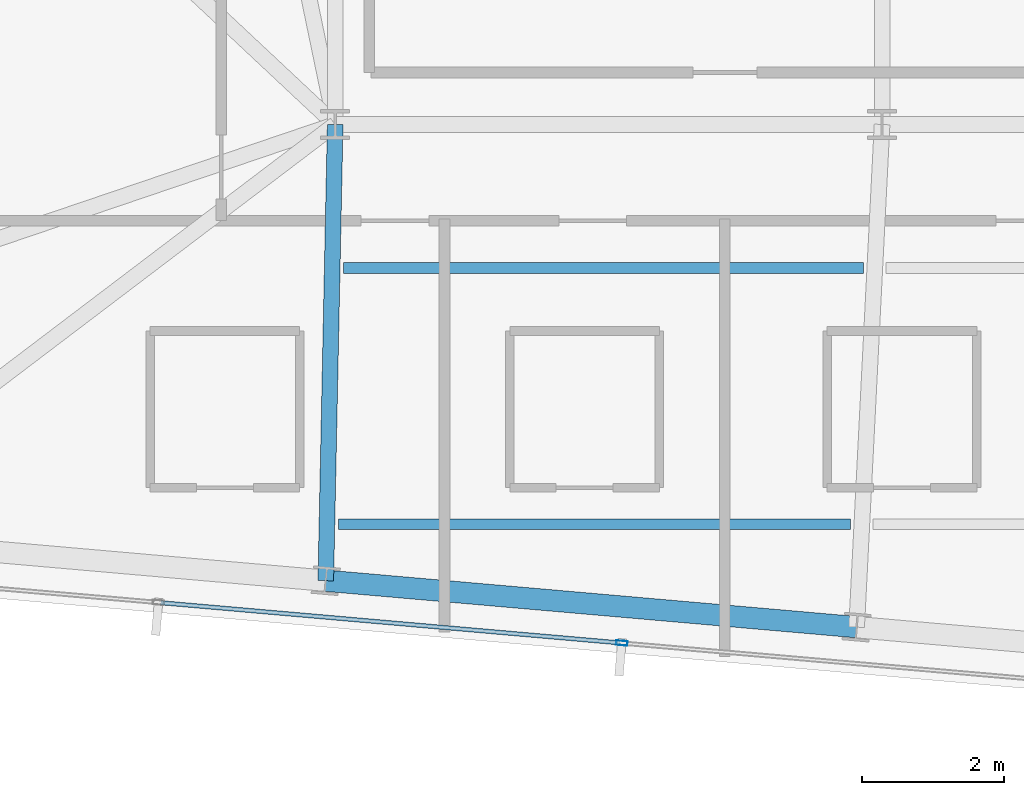
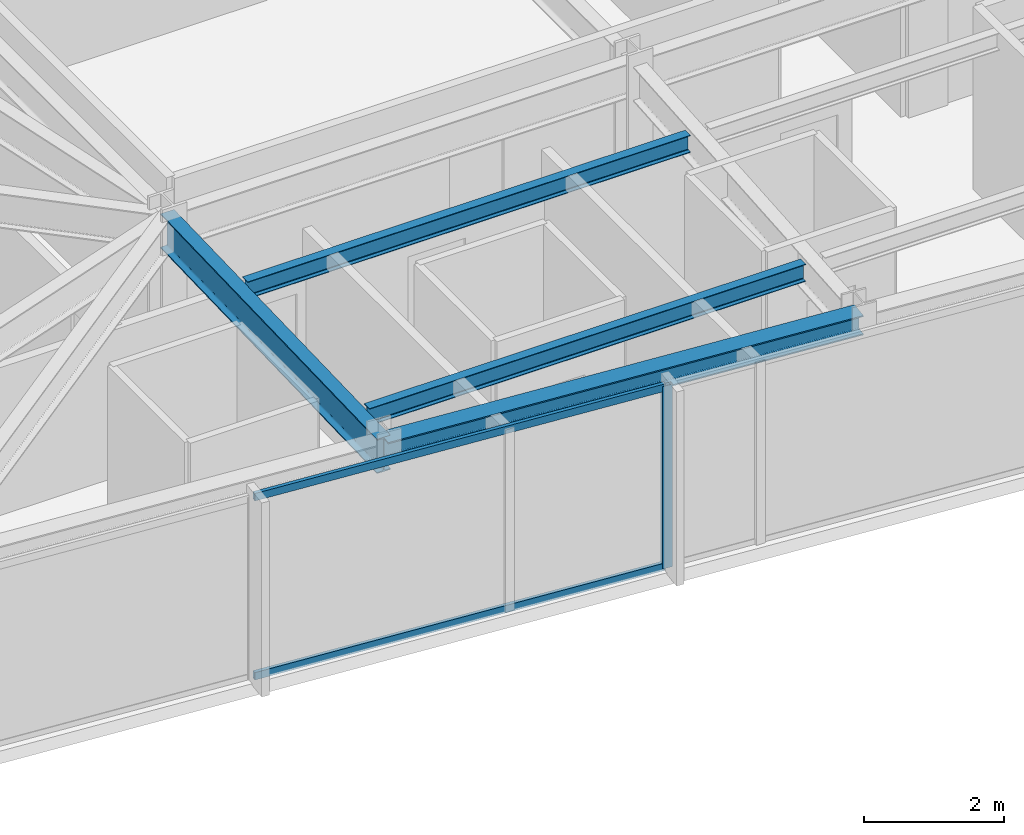
# One storey, part 6 of 33: 4 beams, 3 members, 1 element without a shape of its own.
"""IFC4 building model written with IfcOpenShell, lengths in metres."""

from ifc_helpers import new_model, si_unit, direction, frame, origin, origin_2d, place, context, subcontext, project, spatial, hollow_rectangle, i_section, extrude, material, material_profile, profile_set, type_object, element, aggregate, save


model = new_model("IFC4")

# Units and contexts
model_context = context("Model", 3, precision=1e-05, world=origin(), true_north=direction((0.0, 1.0)))
body_context = subcontext(model_context, "Body", "Model", "MODEL_VIEW")
ifc_project = project(units=[si_unit("LENGTHUNIT", "METRE"), si_unit("AREAUNIT", "SQUARE_METRE"), si_unit("VOLUMEUNIT", "CUBIC_METRE"), si_unit("PLANEANGLEUNIT", "RADIAN"), si_unit("MASSUNIT", "GRAM", prefix="KILO")], contexts=[model_context])

# Site, building, storey
site_placement = place(None, origin())
site = spatial("IfcSite", under=ifc_project, at=site_placement, CompositionType="ELEMENT")
building_placement = place(site_placement, origin())
building = spatial("IfcBuilding", under=site, at=building_placement, Name="Yelkora Congress Tower", CompositionType="ELEMENT")
storey_placement = place(building_placement, frame((0.0, 0.0, 282.89990234375)))
storey = spatial("IfcBuildingStorey", under=building, at=storey_placement, Name="L79", CompositionType="ELEMENT", Elevation=282.89990234375)

# Beams
ifc_material_1 = material(Name="Steel S355J2", Category="steel")
ifc_material_profile_1 = material_profile(ifc_material_1, i_section(OverallWidth=0.219970703125, OverallDepth=0.60009765625, WebThickness=0.011962890625, FlangeThickness=0.01904296875, FilletRadius=0.02392578125, at=origin_2d()), Name="IPE 600")
ifc_profile_set_1 = profile_set([ifc_material_profile_1], Name="Steel S355J2")
beam_type_1 = type_object("IfcBeamType", Name="BM-GIRD-IPE600", PredefinedType="BEAM", material=ifc_profile_set_1)
beam_1_placement = place(storey_placement, frame((22.90771484375, 18.793212890625, 2.880126953125), z_axis=(0.020649509667, 0.999786776143, 0.0), x_axis=(-0.999786776143, 0.020649509667, 0.0)))
element("IfcBeam", 1, at=beam_1_placement, inside=storey, type_object=beam_type_1, Name="L79 Primary Frame Girder S03", PredefinedType="BEAM", context=body_context, shape_type="SweptSolid", body=[
    extrude(i_section(OverallWidth=0.219970703125, OverallDepth=0.60009765625, WebThickness=0.011962890625, FlangeThickness=0.01904296875, FilletRadius=0.02392578125, at=origin_2d()), origin(), (0.0, 0.0, 1.0), 6.408203125),
])
ifc_material_profile_2 = material_profile(ifc_material_1, i_section(OverallWidth=0.14990234375, OverallDepth=0.300048828125, WebThickness=0.007080078125, FlangeThickness=0.0107421875, FilletRadius=0.014892578125, at=origin_2d()), Name="IPE 300")
ifc_profile_set_2 = profile_set([ifc_material_profile_2], Name="Steel S355J2")
beam_type_2 = type_object("IfcBeamType", Name="BM-JOIST-IPE300", PredefinedType="JOIST", material=ifc_profile_set_2)
beam_2_placement = place(storey_placement, frame((23.083984375, 19.58447265625, 3.030029296875), z_axis=(1.0, 0.0, 0.0), x_axis=(0.0, 1.0, 0.0)))
element("IfcBeam", 2, at=beam_2_placement, inside=storey, type_object=beam_type_2, Name="L79 Composite Floor Joist 1", PredefinedType="JOIST", context=body_context, shape_type="SweptSolid", body=[
    extrude(i_section(OverallWidth=0.14990234375, OverallDepth=0.300048828125, WebThickness=0.007080078125, FlangeThickness=0.0107421875, FilletRadius=0.014892578125, at=origin_2d()), origin(), (0.0, 0.0, 1.0), 7.191650390625),
])
beam_3_placement = place(storey_placement, frame((23.158447265625, 23.1845703125, 3.030029296875), z_axis=(1.0, 0.0, 0.0), x_axis=(0.0, 1.0, 0.0)))
element("IfcBeam", 3, at=beam_3_placement, inside=storey, type_object=beam_type_2, Name="L79 Composite Floor Joist 5", PredefinedType="JOIST", context=body_context, shape_type="SweptSolid", body=[
    extrude(i_section(OverallWidth=0.14990234375, OverallDepth=0.300048828125, WebThickness=0.007080078125, FlangeThickness=0.0107421875, FilletRadius=0.014892578125, at=origin_2d()), origin(), (0.0, 0.0, 1.0), 7.299560546875),
])
ifc_material_profile_3 = material_profile(ifc_material_1, i_section(OverallWidth=0.300048828125, OverallDepth=0.340087890625, WebThickness=0.011962890625, FlangeThickness=0.021484375, FilletRadius=0.027099609375, at=origin_2d()), Name="HEB 340")
ifc_profile_set_3 = profile_set([ifc_material_profile_3], Name="Steel S355J2")
beam_type_3 = type_object("IfcBeamType", Name="BM-SPAN-HEB340", PredefinedType="SPANDREL", material=ifc_profile_set_3)
beam_4_placement = place(storey_placement, frame((22.90771484375, 18.793212890625, 3.010009765625), z_axis=(0.99619601894, -0.087140644067, 0.0), x_axis=(0.087140644067, 0.99619601894, 0.0)))
element("IfcBeam", 4, at=beam_4_placement, inside=storey, type_object=beam_type_3, Name="L79 Perimeter Beam 3", PredefinedType="SPANDREL", context=body_context, shape_type="SweptSolid", body=[
    extrude(i_section(OverallWidth=0.300048828125, OverallDepth=0.340087890625, WebThickness=0.011962890625, FlangeThickness=0.021484375, FilletRadius=0.027099609375, at=origin_2d()), origin(), (0.0, 0.0, 1.0), 7.4833984375),
])

# Curtain wall, members
ifc_material_2 = material(Name="Anodised aluminium and insulated glass", Category="aluminium")
curtain_wall_type = type_object("IfcCurtainWallType", Name="CW-SYS-B5", PredefinedType="NOTDEFINED", material=ifc_material_2)
curtain_wall_placement = place(storey_placement, origin())
curtain_wall = element("IfcCurtainWall", 5, at=curtain_wall_placement, inside=storey, type_object=curtain_wall_type, Name="L79 Unitised Curtain Wall 20", PredefinedType="NOTDEFINED")
ifc_material_3 = material(Name="Anodised aluminium 6063-T6", Category="aluminium")
ifc_material_profile_4 = material_profile(ifc_material_3, hollow_rectangle(XDim=0.06494140625, YDim=0.159912109375, WallThickness=0.00390625, at=origin_2d()), Name="ALU 65x160x4")
ifc_profile_set_4 = profile_set([ifc_material_profile_4], Name="Anodised aluminium 6063-T6")
member_type_1 = type_object("IfcMemberType", Name="MEM-ML-B5", PredefinedType="MULLION", material=ifc_profile_set_4)
member_1_placement = place(storey_placement, frame((27.06494140625, 17.917724609375, 0.0), z_axis=(0.0, 0.0, 1.0), x_axis=(-0.087156829793, -0.996194602987, 0.0)))
member_1 = element("IfcMember", 6, at=member_1_placement, type_object=member_type_1, Name="CW-B5 mullion 5", PredefinedType="MULLION", context=body_context, shape_type="SweptSolid", body=[
    extrude(hollow_rectangle(XDim=0.06494140625, YDim=0.159912109375, WallThickness=0.00390625, at=origin_2d()), origin(), (0.0, 0.0, 1.0), 3.18017578125),
])
ifc_material_profile_5 = material_profile(ifc_material_3, hollow_rectangle(XDim=0.06005859375, YDim=0.1298828125, WallThickness=0.00390625, at=origin_2d()), Name="ALU 60x130x4")
ifc_profile_set_5 = profile_set([ifc_material_profile_5], Name="Anodised aluminium 6063-T6")
member_type_2 = type_object("IfcMemberType", Name="MEM-TR-B5", PredefinedType="USERDEFINED", material=ifc_profile_set_5)
member_2_placement = place(storey_placement, frame((27.032470703125, 17.920654296875, 0.030029296875), z_axis=(-0.996196257862, 0.087137912649, 0.0), x_axis=(-0.087137912649, -0.996196257862, 0.0)))
member_2 = element("IfcMember", 7, at=member_2_placement, type_object=member_type_2, Name="CW-B5 transom 5.1", ObjectType="TRANSOM", PredefinedType="USERDEFINED", context=body_context, shape_type="SweptSolid", body=[
    extrude(hollow_rectangle(XDim=0.06005859375, YDim=0.1298828125, WallThickness=0.00390625, at=origin_2d()), origin(), (0.0, 0.0, 1.0), 6.466552734375),
])
member_3_placement = place(storey_placement, frame((27.032470703125, 17.920654296875, 3.150146484375), z_axis=(-0.996196257862, 0.087137912649, 0.0), x_axis=(-0.087137912649, -0.996196257862, 0.0)))
member_3 = element("IfcMember", 8, at=member_3_placement, type_object=member_type_2, Name="CW-B5 transom 5.2", ObjectType="TRANSOM", PredefinedType="USERDEFINED", context=body_context, shape_type="SweptSolid", body=[
    extrude(hollow_rectangle(XDim=0.06005859375, YDim=0.1298828125, WallThickness=0.00390625, at=origin_2d()), origin(), (0.0, 0.0, 1.0), 6.466552734375),
])
aggregate(curtain_wall, [member_1, member_2, member_3])

save(model, "model.ifc")
